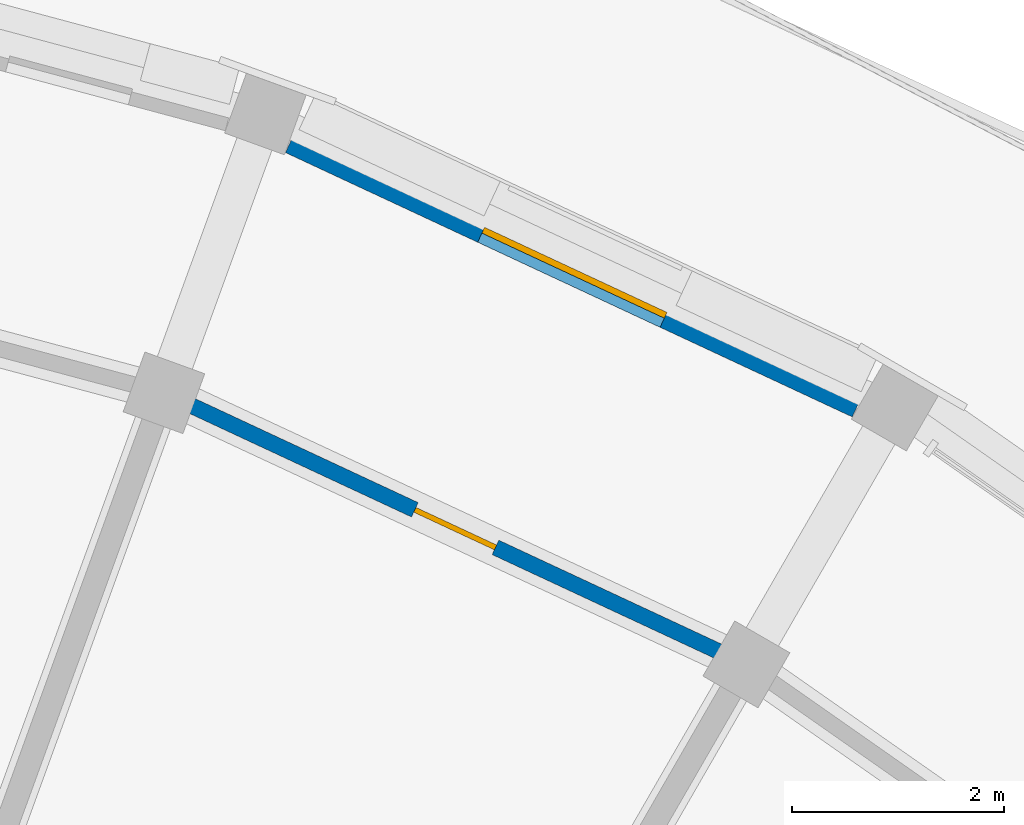
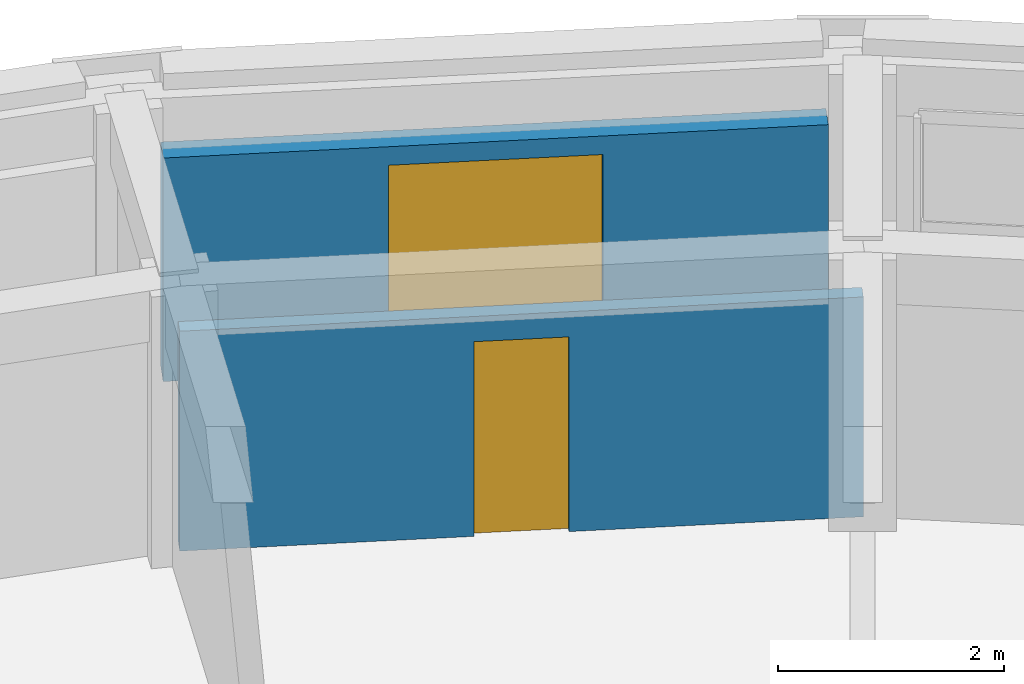
# One storey, part 24 of 36: 2 walls, 1 door, 1 window, 2 openings.
"""IFC4 building model written with IfcOpenShell, lengths in metres."""

from ifc_helpers import new_model, si_unit, direction, frame, frame_2d, origin, place, context, subcontext, project, spatial, rectangle, extrude, material, layer, layer_set, type_object, element, fill, save


model = new_model("IFC4")

# Units and contexts
model_context = context("Model", 3, precision=1e-05, world=origin(), true_north=direction((0.0, 1.0)))
body_context = subcontext(model_context, "Body", "Model", "MODEL_VIEW")
ifc_project = project(units=[si_unit("LENGTHUNIT", "METRE"), si_unit("AREAUNIT", "SQUARE_METRE"), si_unit("VOLUMEUNIT", "CUBIC_METRE"), si_unit("PLANEANGLEUNIT", "RADIAN"), si_unit("MASSUNIT", "GRAM", prefix="KILO")], contexts=[model_context])

# Site, building, storey
site_placement = place(None, origin())
site = spatial("IfcSite", under=ifc_project, at=site_placement, CompositionType="ELEMENT")
building_placement = place(site_placement, origin())
building = spatial("IfcBuilding", under=site, at=building_placement, Name="Kiranvali Square Residences", CompositionType="ELEMENT")
storey_placement = place(building_placement, frame((0.0, 0.0, 37.050048828125)))
storey = spatial("IfcBuildingStorey", under=building, at=storey_placement, Name="L11", CompositionType="ELEMENT", Elevation=37.050048828125)

# Wall, opening, window
ifc_material_1 = material(Name="Breathable lime-rendered clay brick masonry", Category="masonry")
ifc_layer_1 = layer(ifc_material_1, 0.25)
ifc_layer_set_1 = layer_set([ifc_layer_1], Name="Breathable lime-rendered clay brick masonry")
wall_type_1 = type_object("IfcWallType", Name="WL-EXT-250", PredefinedType="STANDARD", material=ifc_layer_set_1)
wall_1_placement = place(storey_placement, frame((132.90234375, 122.881591796875, 0.0), z_axis=(0.0, 0.0, 1.0), x_axis=(0.906303563546, -0.422627318927, 0.0)))
wall_1 = element("IfcWall", 1, at=wall_1_placement, inside=storey, type_object=wall_type_1, Name="L11 exterior wall B-L11-CRV-02", PredefinedType="STANDARD", context=body_context, shape_type="SweptSolid", body=[
    extrude(rectangle(XDim=5.902587890625, YDim=0.25, at=frame_2d((2.951171875, 0.0))), origin(), (0.0, 0.0, 1.0), 2.411865234375),
])
opening_1_placement = place(wall_1_placement, frame((2.00146484375, 0.0, 0.4619140625)))
opening_1 = element("IfcOpeningElement", 2, at=opening_1_placement, cuts=wall_1, Name="Opening W-21", PredefinedType="OPENING", context=body_context, shape_type="SweptSolid", body=[
    extrude(rectangle(XDim=1.89990234375, YDim=1.75, at=frame_2d((0.949951171875, 0.875))), frame((0.0, 0.135009765625, 0.0), z_axis=(0.0, -1.0, 0.0), x_axis=(1.0, 0.0, 0.0)), (0.0, 0.0, 1.0), 0.27001953125),
])
ifc_material_2 = material(Name="Solar-control low-e double glazing", Category="glass")
window_type = type_object("IfcWindowType", Name="WIN-TER-1900x1750", PartitioningType="DOUBLE_PANEL_VERTICAL", PredefinedType="WINDOW", material=ifc_material_2)
window_placement = place(opening_1_placement, origin())
window = element("IfcWindow", 3, at=window_placement, inside=storey, type_object=window_type, Name="L11 recessed window B-L11-CRV-02", OverallHeight=1.75, OverallWidth=1.89990234375, PartitioningType="DOUBLE_PANEL_VERTICAL", PredefinedType="WINDOW", context=body_context, shape_type="SweptSolid", body=[
    extrude(rectangle(XDim=1.89990234375, YDim=1.75, at=frame_2d((0.949951171875, 0.875))), frame((0.0, 0.030029296875, 0.0), z_axis=(0.0, -1.0, 0.0), x_axis=(1.0, 0.0, 0.0)), (0.0, 0.0, 1.0), 0.06005859375),
])
fill(opening_1, window)

# Wall, opening, door
ifc_material_3 = material(Name="Autoclaved aerated concrete blockwork masonry", Category="masonry")
ifc_layer_2 = layer(ifc_material_3, 0.14990234375)
ifc_layer_set_2 = layer_set([ifc_layer_2], Name="Autoclaved aerated concrete blockwork masonry")
wall_type_2 = type_object("IfcWallType", Name="WL-WET-150", PredefinedType="PLUMBINGWALL", material=ifc_layer_set_2)
wall_2_placement = place(storey_placement, frame((131.702392578125, 120.501220703125, 0.0), z_axis=(0.0, 0.0, 1.0), x_axis=(0.906312656069, -0.42260781991, 0.0)))
wall_2 = element("IfcWall", 4, at=wall_2_placement, inside=storey, type_object=wall_type_2, Name="L11 architectural wall WL-L11-B-CWET-2", PredefinedType="PLUMBINGWALL", context=body_context, shape_type="SweptSolid", body=[
    extrude(rectangle(XDim=6.06591796875, YDim=0.14990234375, at=frame_2d((3.032958984375, 0.0))), origin(), (0.0, 0.0, 1.0), 2.3720703125),
])
opening_2_placement = place(wall_2_placement, frame((2.613037109375, 0.0, 0.0)))
opening_2 = element("IfcOpeningElement", 5, at=opening_2_placement, cuts=wall_2, Name="Opening ID-WET2", PredefinedType="OPENING", context=body_context, shape_type="SweptSolid", body=[
    extrude(rectangle(XDim=0.840087890625, YDim=2.10009765625, at=frame_2d((0.419921875, 1.050048828125))), frame((0.0, 0.0849609375, 0.0), z_axis=(0.0, -1.0, 0.0), x_axis=(1.0, 0.0, 0.0)), (0.0, 0.0, 1.0), 0.169921875),
])
ifc_material_4 = material(Name="Solid seasoned teak hardwood joinery", Category="wood")
door_type = type_object("IfcDoorType", Name="DR-WET-840", OperationType="NOTDEFINED", PredefinedType="DOOR", material=ifc_material_4)
door_placement = place(opening_2_placement, origin())
door = element("IfcDoor", 6, at=door_placement, inside=storey, type_object=door_type, Name="L11 door DR-L11-1671 (DR-WET-840)", OperationType="SINGLE_SWING_LEFT", OverallHeight=2.10009765625, OverallWidth=0.840087890625, PredefinedType="DOOR", context=body_context, shape_type="SweptSolid", body=[
    extrude(rectangle(XDim=0.840087890625, YDim=2.10009765625, at=frame_2d((0.419921875, 1.050048828125))), frame((0.0, 0.02490234375, 0.0), z_axis=(0.0, -1.0, 0.0), x_axis=(1.0, 0.0, 0.0)), (0.0, 0.0, 1.0), 0.050048828125),
])
fill(opening_2, door)

save(model, "model.ifc")
